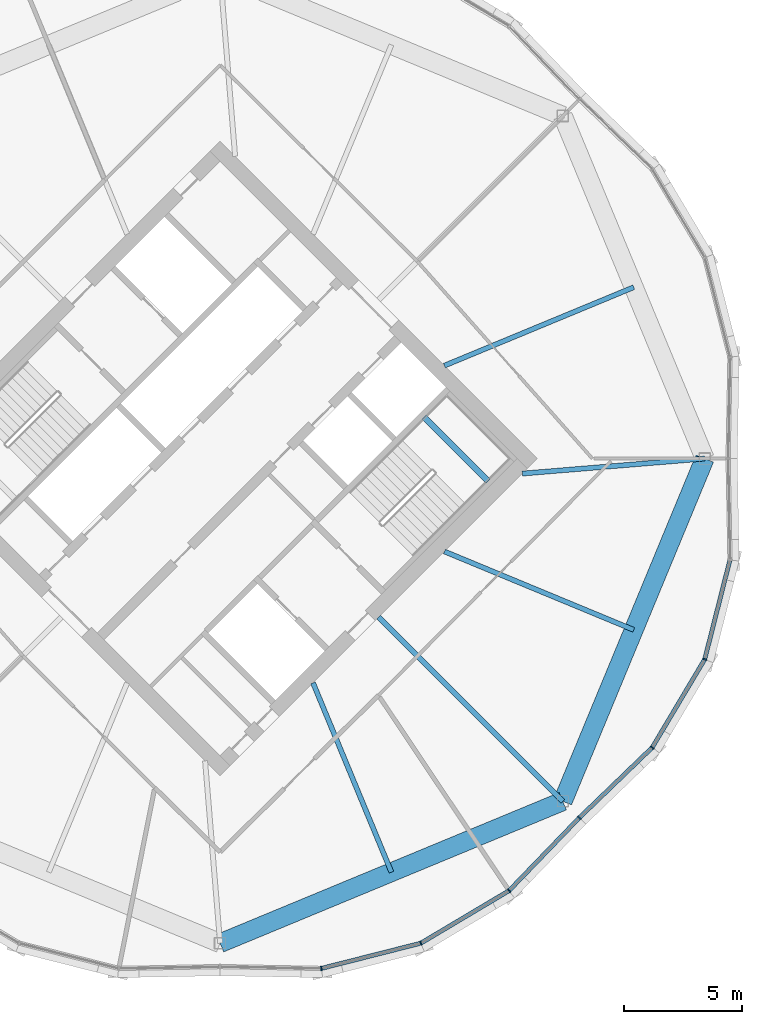
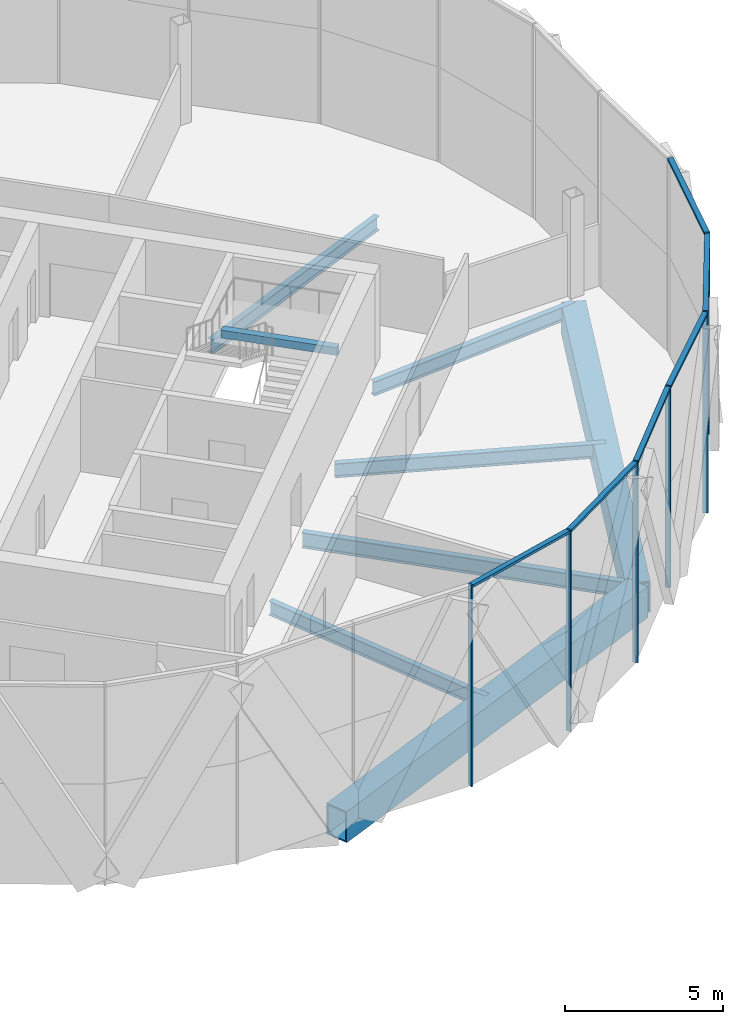
# One storey, part 12 of 27: 12 members, 8 beams, 2 elements without a shape of their own.
"""IFC4 building model written with IfcOpenShell, lengths in metres."""

from ifc_helpers import new_model, si_unit, direction, frame, origin, origin_2d, place, context, subcontext, project, spatial, rectangle, hollow_rectangle, i_section, extrude, material, material_profile, profile_set, type_object, element, aggregate, save


model = new_model("IFC4")

# Units and contexts
model_context = context("Model", 3, precision=1e-05, world=origin(), true_north=direction((0.0, 1.0)))
body_context = subcontext(model_context, "Body", "Model", "MODEL_VIEW")
ifc_project = project(units=[si_unit("LENGTHUNIT", "METRE"), si_unit("AREAUNIT", "SQUARE_METRE"), si_unit("VOLUMEUNIT", "CUBIC_METRE"), si_unit("PLANEANGLEUNIT", "RADIAN"), si_unit("MASSUNIT", "GRAM", prefix="KILO")], contexts=[model_context])

# Site, building, storey
site_placement = place(None, origin())
site = spatial("IfcSite", under=ifc_project, at=site_placement, CompositionType="ELEMENT")
building_placement = place(site_placement, origin())
building = spatial("IfcBuilding", under=site, at=building_placement, Name="Ogive Gate Towers", CompositionType="ELEMENT")
storey_placement = place(building_placement, frame((0.0, 0.0, 189.0)))
storey = spatial("IfcBuildingStorey", under=building, at=storey_placement, Name="L45", CompositionType="ELEMENT", Elevation=189.0)

# Beams
ifc_material_1 = material(Name="Steel SM460", Category="steel")
ifc_material_profile_1 = material_profile(ifc_material_1, hollow_rectangle(XDim=0.800048828125, YDim=1.199951171875, WallThickness=0.050048828125, at=origin_2d()), Name="BX 1200x800x50")
ifc_profile_set_1 = profile_set([ifc_material_profile_1], Name="Steel SM460")
beam_type_1 = type_object("IfcBeamType", Name="Edge girder BX 1200x800x50", PredefinedType="BEAM", material=ifc_profile_set_1)
for number, where, z_axis, x_axis, name in (
    (1, (36.0, -20.52001953125, -0.89990234375), (0.923877006731, 0.38268953008, 0.0), (-0.38268953008, 0.923877006731, 0.0), "T2/L45/SBM018"),
    (2, (50.509765625, -14.509765625, -0.89990234375), (0.38268953008, 0.923877006731, 0.0), (-0.923877006731, 0.38268953008, 0.0), "T2/L45/SBM019"),
):
    element("IfcBeam", number, at=place(storey_placement, frame(where, z_axis=z_axis, x_axis=x_axis)), inside=storey, type_object=beam_type_1, Name=name, PredefinedType="BEAM", context=body_context, shape_type="SweptSolid", body=[
        extrude(hollow_rectangle(XDim=0.800048828125, YDim=1.199951171875, WallThickness=0.050048828125, at=origin_2d()), origin(), (0.0, 0.0, 1.0), 15.705322265625),
    ])
ifc_material_2 = material(Name="Concrete C40/50", Category="concrete")
ifc_material_profile_2 = material_profile(ifc_material_2, rectangle(XDim=0.25, YDim=0.300048828125, at=origin_2d()), Name="RC 250x300")
ifc_profile_set_2 = profile_set([ifc_material_profile_2], Name="Concrete C40/50")
beam_type_2 = type_object("IfcBeamType", Name="Landing bearer RC 250x300", PredefinedType="BEAM", material=ifc_profile_set_2)
beam_1_placement = place(storey_placement, frame((47.349609375, -0.9541015625, 1.60009765625), z_axis=(-0.707106781187, 0.707106781187, 0.0), x_axis=(-0.707106781187, -0.707106781187, 0.0)))
element("IfcBeam", 3, at=beam_1_placement, inside=storey, type_object=beam_type_2, Name="T2 L45 stair 2 landing bearer 1", PredefinedType="BEAM", context=body_context, shape_type="SweptSolid", body=[
    extrude(rectangle(XDim=0.25, YDim=0.300048828125, at=origin_2d()), origin(), (0.0, 0.0, 1.0), 3.824951171875),
])
ifc_material_3 = material(Name="Steel SM355", Category="steel")
ifc_material_profile_3 = material_profile(ifc_material_3, i_section(OverallWidth=0.2099609375, OverallDepth=0.550048828125, WebThickness=0.010986328125, FlangeThickness=0.01708984375, FilletRadius=0.02392578125, at=origin_2d()), Name="IPE 550")
ifc_profile_set_3 = profile_set([ifc_material_profile_3], Name="Steel SM355")
beam_type_3 = type_object("IfcBeamType", Name="Radial floor beam IPE 550", PredefinedType="BEAM", material=ifc_profile_set_3)
for number, where, z_axis, x_axis, name in (
    (4, (39.93505859375, -9.5, -0.574951171875), (0.382678218882, -0.92388169199, 0.0), (0.92388169199, 0.382678218882, 0.0), "T2/L45/SBM004"),
    (5, (45.5, -3.93505859375, -0.574951171875), (0.92388169199, -0.382678218882, 0.0), (0.382678218882, 0.92388169199, 0.0), "T2/L45/SBM006"),
):
    element("IfcBeam", number, at=place(storey_placement, frame(where, z_axis=z_axis, x_axis=x_axis)), inside=storey, type_object=beam_type_3, Name=name, PredefinedType="BEAM", context=body_context, shape_type="SweptSolid", body=[
        extrude(i_section(OverallWidth=0.2099609375, OverallDepth=0.550048828125, WebThickness=0.010986328125, FlangeThickness=0.01708984375, FilletRadius=0.02392578125, at=origin_2d()), origin(), (0.0, 0.0, 1.0), 8.67529296875),
    ])
beam_2_placement = place(storey_placement, frame((48.798583984375, -0.636474609375, -0.574951171875), z_axis=(0.996619898218, 0.082150949336, 0.0), x_axis=(-0.082150949336, 0.996619898218, 0.0)))
element("IfcBeam", 6, at=beam_2_placement, inside=storey, type_object=beam_type_3, Name="T2/L45/SBM007", PredefinedType="BEAM", context=body_context, shape_type="SweptSolid", body=[
    extrude(i_section(OverallWidth=0.2099609375, OverallDepth=0.550048828125, WebThickness=0.010986328125, FlangeThickness=0.01708984375, FilletRadius=0.02392578125, at=origin_2d()), origin(), (0.0, 0.0, 1.0), 7.74755859375),
])
beam_3_placement = place(storey_placement, frame((45.5, 3.93505859375, -0.574951171875), z_axis=(0.92388169199, 0.382678218882, 0.0), x_axis=(-0.382678218882, 0.92388169199, 0.0)))
element("IfcBeam", 7, at=beam_3_placement, inside=storey, type_object=beam_type_3, Name="T2/L45/SBM008", PredefinedType="BEAM", context=body_context, shape_type="SweptSolid", body=[
    extrude(i_section(OverallWidth=0.2099609375, OverallDepth=0.550048828125, WebThickness=0.010986328125, FlangeThickness=0.01708984375, FilletRadius=0.02392578125, at=origin_2d()), origin(), (0.0, 0.0, 1.0), 8.67529296875),
])
ifc_material_profile_4 = material_profile(ifc_material_3, i_section(OverallWidth=0.219970703125, OverallDepth=0.60009765625, WebThickness=0.011962890625, FlangeThickness=0.01904296875, FilletRadius=0.02392578125, at=origin_2d()), Name="IPE 600")
ifc_profile_set_4 = profile_set([ifc_material_profile_4], Name="Steel SM355")
beam_type_4 = type_object("IfcBeamType", Name="Radial floor beam IPE 600", PredefinedType="BEAM", material=ifc_profile_set_4)
beam_4_placement = place(storey_placement, frame((42.717529296875, -6.717529296875, -0.60009765625), z_axis=(0.707106781187, -0.707106781187, 0.0), x_axis=(0.707106781187, 0.707106781187, 0.0)))
element("IfcBeam", 8, at=beam_4_placement, inside=storey, type_object=beam_type_4, Name="T2/L45/SBM005", PredefinedType="BEAM", context=body_context, shape_type="SweptSolid", body=[
    extrude(i_section(OverallWidth=0.219970703125, OverallDepth=0.60009765625, WebThickness=0.011962890625, FlangeThickness=0.01904296875, FilletRadius=0.02392578125, at=origin_2d()), origin(), (0.0, 0.0, 1.0), 11.019775390625),
])

# Curtain wall, members
ifc_material_4 = material(Name="Pale metal aluminium", Category="aluminium")
curtain_wall_type = type_object("IfcCurtainWallType", Name="Tower unitised wall, high zone", PredefinedType="NOTDEFINED", material=ifc_material_4)
curtain_wall_1_placement = place(storey_placement, origin())
curtain_wall_1 = element("IfcCurtainWall", 9, at=curtain_wall_1_placement, inside=storey, type_object=curtain_wall_type, Name="CW2 T2 ECW07", PredefinedType="NOTDEFINED")
ifc_material_profile_5 = material_profile(ifc_material_4, rectangle(XDim=0.179931640625, YDim=0.06005859375, at=origin_2d()), Name="60 x 180 aluminium box")
ifc_profile_set_5 = profile_set([ifc_material_profile_5], Name="Pale metal aluminium")
member_type_1 = type_object("IfcMemberType", Name="Tower unitised wall, high zone mullion 60 x 180", PredefinedType="MULLION", material=ifc_profile_set_5)
member_1_placement = place(storey_placement, frame((40.286865234375, -21.589111328125, -0.300048828125), z_axis=(0.0, 0.0, 1.0), x_axis=(0.114746434496, -0.993394813642, 0.0)))
member_1 = element("IfcMember", 10, at=member_1_placement, type_object=member_type_1, Name="CW2 mullion", PredefinedType="MULLION", context=body_context, shape_type="SweptSolid", body=[
    extrude(rectangle(XDim=0.179931640625, YDim=0.06005859375, at=origin_2d()), origin(), (0.0, 0.0, 1.0), 7.800048828125),
])
member_2_placement = place(storey_placement, frame((44.499755859375, -20.5205078125, -0.300048828125), z_axis=(0.0, 0.0, 1.0), x_axis=(0.382683432365, -0.923879532511, 0.0)))
member_2 = element("IfcMember", 11, at=member_2_placement, type_object=member_type_1, Name="CW2 mullion", PredefinedType="MULLION", context=body_context, shape_type="SweptSolid", body=[
    extrude(rectangle(XDim=0.179931640625, YDim=0.06005859375, at=origin_2d()), origin(), (0.0, 0.0, 1.0), 7.800048828125),
])
member_3_placement = place(storey_placement, frame((48.234619140625, -18.297119140625, -0.300048828125), z_axis=(0.0, 0.0, 1.0), x_axis=(0.621298227173, -0.783574191071, 0.0)))
member_3 = element("IfcMember", 12, at=member_3_placement, type_object=member_type_1, Name="CW2 mullion", PredefinedType="MULLION", context=body_context, shape_type="SweptSolid", body=[
    extrude(rectangle(XDim=0.179931640625, YDim=0.06005859375, at=origin_2d()), origin(), (0.0, 0.0, 1.0), 7.800048828125),
])
member_4_placement = place(storey_placement, frame((51.209716796875, -15.2099609375, -0.300048828125), z_axis=(0.0, 0.0, 1.0), x_axis=(0.720030516576, -0.693942400491, 0.0)))
member_4 = element("IfcMember", 13, at=member_4_placement, type_object=member_type_1, Name="CW2 mullion", PredefinedType="MULLION", context=body_context, shape_type="SweptSolid", body=[
    extrude(rectangle(XDim=0.179931640625, YDim=0.06005859375, at=origin_2d()), origin(), (0.0, 0.0, 1.0), 7.800048828125),
])

curtain_wall_2_placement = place(storey_placement, origin())
curtain_wall_2 = element("IfcCurtainWall", 14, at=curtain_wall_2_placement, inside=storey, type_object=curtain_wall_type, Name="CW2 T2 ECW08", PredefinedType="NOTDEFINED")
member_5_placement = place(storey_placement, frame((54.297119140625, -12.234619140625, -0.300048828125), z_axis=(0.0, 0.0, 1.0), x_axis=(0.783574191071, -0.621298227173, 0.0)))
member_5 = element("IfcMember", 15, at=member_5_placement, type_object=member_type_1, Name="CW2 mullion", PredefinedType="MULLION", context=body_context, shape_type="SweptSolid", body=[
    extrude(rectangle(XDim=0.179931640625, YDim=0.06005859375, at=origin_2d()), origin(), (0.0, 0.0, 1.0), 7.800048828125),
])
member_6_placement = place(storey_placement, frame((56.5205078125, -8.499755859375, -0.300048828125), z_axis=(0.0, 0.0, 1.0), x_axis=(0.923879532511, -0.382683432365, 0.0)))
member_6 = element("IfcMember", 16, at=member_6_placement, type_object=member_type_1, Name="CW2 mullion", PredefinedType="MULLION", context=body_context, shape_type="SweptSolid", body=[
    extrude(rectangle(XDim=0.179931640625, YDim=0.06005859375, at=origin_2d()), origin(), (0.0, 0.0, 1.0), 7.800048828125),
])

# Member
ifc_material_profile_6 = material_profile(ifc_material_4, rectangle(XDim=0.179931640625, YDim=0.10009765625, at=origin_2d()), Name="100 x 180 aluminium box")
ifc_profile_set_6 = profile_set([ifc_material_profile_6], Name="Pale metal aluminium")
member_type_2 = type_object("IfcMemberType", Name="Tower unitised wall, high zone transom 100 x 180", PredefinedType="USERDEFINED", material=ifc_profile_set_6)
member_7_placement = place(storey_placement, frame((40.314697265625, -21.581787109375, 7.449951171875), z_axis=(0.969309829434, 0.245842336798, 0.0), x_axis=(-0.245842336798, 0.969309829434, 0.0)))
member_7 = element("IfcMember", 17, at=member_7_placement, type_object=member_type_2, Name="CW2 transom", ObjectType="TRANSOM", PredefinedType="USERDEFINED", context=body_context, shape_type="SweptSolid", body=[
    extrude(rectangle(XDim=0.179931640625, YDim=0.10009765625, at=origin_2d()), origin(), (0.0, 0.0, 1.0), 4.2890625),
])

member_8_placement = place(storey_placement, frame((44.5244140625, -20.505615234375, 7.449951171875), z_axis=(0.859285736387, 0.511495868255, 0.0), x_axis=(-0.511495868255, 0.859285736387, 0.0)))
member_8 = element("IfcMember", 18, at=member_8_placement, type_object=member_type_2, Name="CW2 transom", ObjectType="TRANSOM", PredefinedType="USERDEFINED", context=body_context, shape_type="SweptSolid", body=[
    extrude(rectangle(XDim=0.179931640625, YDim=0.10009765625, at=origin_2d()), origin(), (0.0, 0.0, 1.0), 4.2890625),
])

member_9_placement = place(storey_placement, frame((48.25439453125, -18.2763671875, 7.449951171875), z_axis=(0.693967805182, 0.720006031483, 0.0), x_axis=(-0.720006031483, 0.693967805182, 0.0)))
member_9 = element("IfcMember", 19, at=member_9_placement, type_object=member_type_2, Name="CW2 transom", ObjectType="TRANSOM", PredefinedType="USERDEFINED", context=body_context, shape_type="SweptSolid", body=[
    extrude(rectangle(XDim=0.179931640625, YDim=0.10009765625, at=origin_2d()), origin(), (0.0, 0.0, 1.0), 4.228759765625),
])

aggregate(curtain_wall_1, [member_1, member_2, member_7, member_3, member_8, member_4, member_9])

member_10_placement = place(storey_placement, frame((51.231689453125, -15.18896484375, 7.449951171875), z_axis=(0.720006031483, 0.693967805182, 0.0), x_axis=(-0.693967805182, 0.720006031483, 0.0)))
member_10 = element("IfcMember", 20, at=member_10_placement, type_object=member_type_2, Name="CW2 transom", ObjectType="TRANSOM", PredefinedType="USERDEFINED", context=body_context, shape_type="SweptSolid", body=[
    extrude(rectangle(XDim=0.179931640625, YDim=0.10009765625, at=origin_2d()), origin(), (0.0, 0.0, 1.0), 4.228759765625),
])

member_11_placement = place(storey_placement, frame((54.311767578125, -12.2099609375, 7.449951171875), z_axis=(0.511495868255, 0.859285736387, 0.0), x_axis=(-0.859285736387, 0.511495868255, 0.0)))
member_11 = element("IfcMember", 21, at=member_11_placement, type_object=member_type_2, Name="CW2 transom", ObjectType="TRANSOM", PredefinedType="USERDEFINED", context=body_context, shape_type="SweptSolid", body=[
    extrude(rectangle(XDim=0.179931640625, YDim=0.10009765625, at=origin_2d()), origin(), (0.0, 0.0, 1.0), 4.2890625),
])

member_12_placement = place(storey_placement, frame((56.52734375, -8.47216796875, 7.449951171875), z_axis=(0.245842336798, 0.969309829434, 0.0), x_axis=(-0.969309829434, 0.245842336798, 0.0)))
member_12 = element("IfcMember", 22, at=member_12_placement, type_object=member_type_2, Name="CW2 transom", ObjectType="TRANSOM", PredefinedType="USERDEFINED", context=body_context, shape_type="SweptSolid", body=[
    extrude(rectangle(XDim=0.179931640625, YDim=0.10009765625, at=origin_2d()), origin(), (0.0, 0.0, 1.0), 4.2890625),
])

aggregate(curtain_wall_2, [member_5, member_10, member_6, member_11, member_12])

save(model, "model.ifc")
